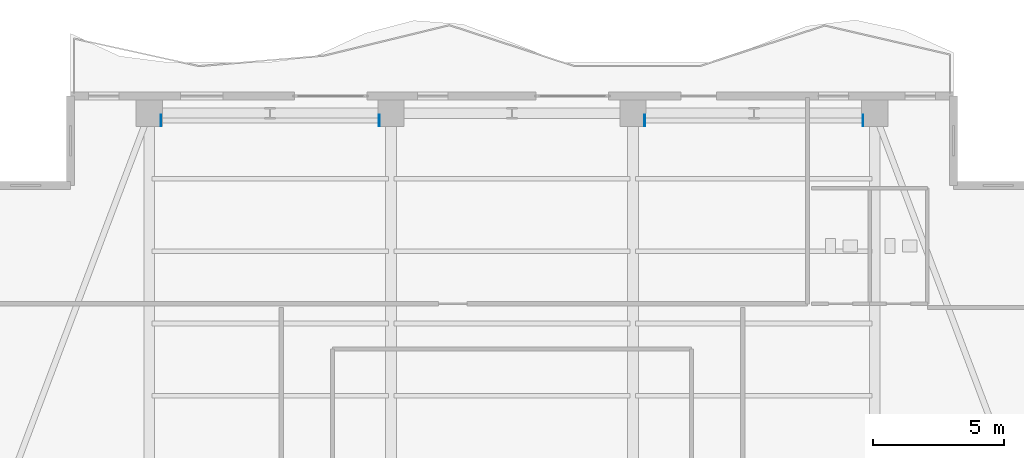
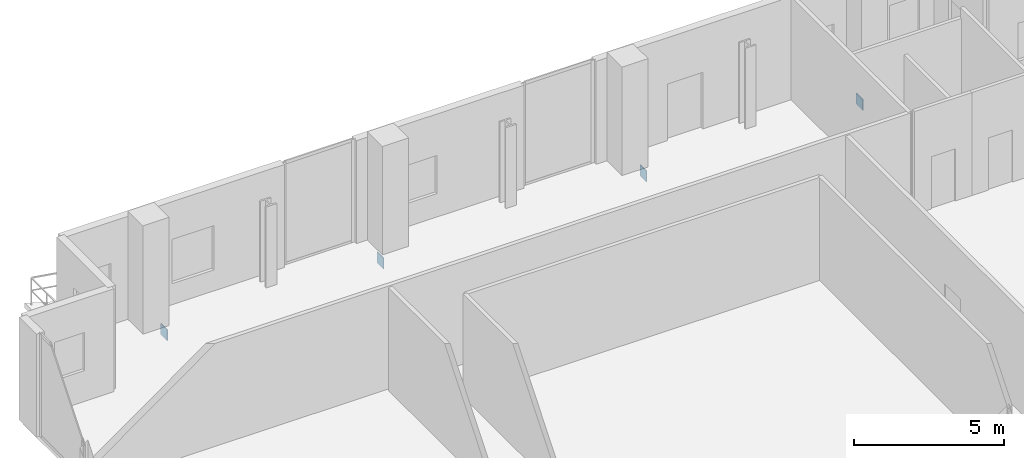
# One storey, part 17 of 24: 4 plates.
"""IFC4 building model written with IfcOpenShell, lengths in metres."""

from ifc_helpers import new_model, si_unit, direction, frame, origin, origin_2d, place, context, subcontext, project, spatial, rectangle, extrude, material, layer, layer_set, type_object, element, save


model = new_model("IFC4")

# Units and contexts
model_context = context("Model", 3, precision=1e-05, world=origin(), true_north=direction((0.0, 1.0)))
body_context = subcontext(model_context, "Body", "Model", "MODEL_VIEW")
ifc_project = project(units=[si_unit("LENGTHUNIT", "METRE"), si_unit("AREAUNIT", "SQUARE_METRE"), si_unit("VOLUMEUNIT", "CUBIC_METRE"), si_unit("PLANEANGLEUNIT", "RADIAN"), si_unit("MASSUNIT", "GRAM", prefix="KILO")], contexts=[model_context])

# Site, building, storey
site_placement = place(None, origin())
site = spatial("IfcSite", under=ifc_project, at=site_placement, CompositionType="ELEMENT")
building_placement = place(site_placement, origin())
building = spatial("IfcBuilding", under=site, at=building_placement, Name="Zuhayl Quay Hotel", CompositionType="ELEMENT")
storey_placement = place(building_placement, frame((0.0, 0.0, 284.050048828125)))
storey = spatial("IfcBuildingStorey", under=building, at=storey_placement, Name="L72", CompositionType="ELEMENT", Elevation=284.050048828125)

# Plates
ifc_material = material(Name="Steel ASTM A572 Grade 50", Category="steel")
ifc_layer = layer(ifc_material, 0.030029296875, Name="Steel ASTM A572 Grade 50", Category="steel")
ifc_layer_set = layer_set([ifc_layer], Name="Steel ASTM A572 Grade 50")
plate_type = type_object("IfcPlateType", Name="TP_CAP_PLATE_30", PredefinedType="USERDEFINED", material=ifc_layer_set)
for number, where, z_axis, x_axis, name in (
    (1, (-13.35205078125, 38.070068359375, -0.590087890625), (0.0, 0.0, 1.0), (-1.0, 0.0, 0.0), "Truss Node Cap Assembly KN2"),
    (2, (-5.048095703125, 38.070068359375, -0.590087890625), (0.0, 0.0, 1.0), (1.0, 0.0, 0.0), "Truss Node Cap Assembly KN2"),
    (3, (5.048095703125, 38.070068359375, -0.590087890625), (0.0, 0.0, 1.0), (-1.0, 0.0, 0.0), "Truss Node Cap Assembly KN2"),
    (4, (13.35205078125, 38.070068359375, -0.590087890625), (0.0, 0.0, 1.0), (1.0, 0.0, 0.0), "Truss Node Cap Assembly KN2"),
):
    element("IfcPlate", number, at=place(storey_placement, frame(where, z_axis=z_axis, x_axis=x_axis)), inside=storey, type_object=plate_type, Name=name, ObjectType="GUSSET PLATE", PredefinedType="USERDEFINED", context=body_context, shape_type="SweptSolid", body=[
        extrude(rectangle(XDim=0.030029296875, YDim=0.43994140625, at=origin_2d()), origin(), (0.0, 0.0, 1.0), 0.43994140625),
    ])

save(model, "model.ifc")
